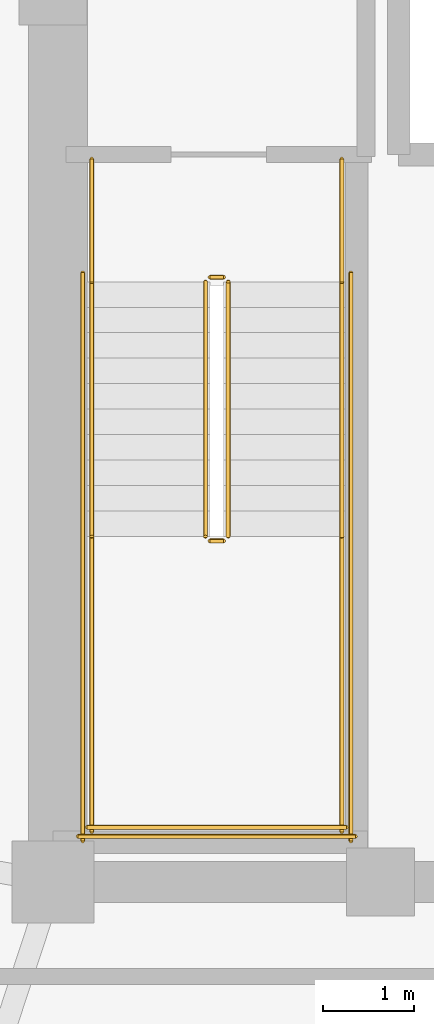
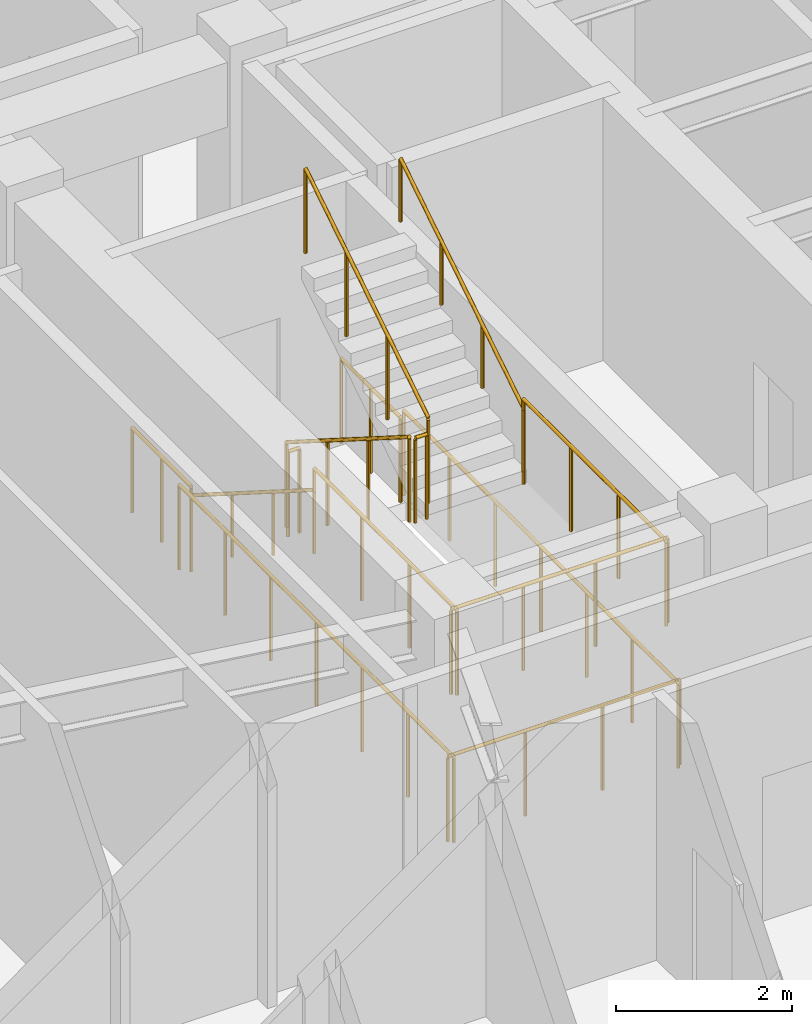
# One storey, part 28 of 29: 14 railings.
"""IFC4 building model written with IfcOpenShell, lengths in metres."""

from ifc_helpers import new_model, si_unit, direction, frame, origin, origin_2d, place, context, subcontext, project, spatial, circle, extrude, material, type_object, element, save


model = new_model("IFC4")

# Units and contexts
model_context = context("Model", 3, precision=1e-05, world=origin(), true_north=direction((0.0, 1.0)))
body_context = subcontext(model_context, "Body", "Model", "MODEL_VIEW")
ifc_project = project(units=[si_unit("LENGTHUNIT", "METRE"), si_unit("AREAUNIT", "SQUARE_METRE"), si_unit("VOLUMEUNIT", "CUBIC_METRE"), si_unit("PLANEANGLEUNIT", "RADIAN"), si_unit("MASSUNIT", "GRAM", prefix="KILO")], contexts=[model_context])

# Site, building, storey
site_placement = place(None, origin())
site = spatial("IfcSite", under=ifc_project, at=site_placement, CompositionType="ELEMENT")
building_placement = place(site_placement, origin())
building = spatial("IfcBuilding", under=site, at=building_placement, Name="Voryun Gate Residences", CompositionType="ELEMENT")
storey_placement = place(building_placement, frame((0.0, 0.0, 211.89990234375)))
storey = spatial("IfcBuildingStorey", under=building, at=storey_placement, Name="L52", CompositionType="ELEMENT", Elevation=211.89990234375)

# Railings
ifc_material_1 = material(Name="Painted steel", Category="steel")
railing_type_1 = type_object("IfcRailingType", Name="RAIL_STAIR_GUARD_1200", PredefinedType="GUARDRAIL", material=ifc_material_1)
railing_1_placement = place(storey_placement, frame((-17.52490234375, -0.800048828125, 0.177490234375)))
element("IfcRailing", 1, at=railing_1_placement, inside=storey, type_object=railing_type_1, Name="L52 ST-W1 stair guard 1", PredefinedType="GUARDRAIL", context=body_context, shape_type="SweptSolid", body=[
    extrude(circle(Radius=0.02392578125, at=origin_2d()), frame((0.0, 0.0, 1.17578125), z_axis=(0.0, -0.844908973607, 0.534910110503), x_axis=(1.0, 0.0, 0.0)), (0.0, 0.0, 1.0), 3.31396484375),
    extrude(circle(Radius=0.02099609375, at=origin_2d()), origin(), (0.0, 0.0, 1.0), 1.15185546875),
    extrude(circle(Radius=0.02099609375, at=origin_2d()), frame((0.0, -0.933349609375, 0.5908203125)), (0.0, 0.0, 1.0), 1.15185546875),
    extrude(circle(Radius=0.02099609375, at=origin_2d()), frame((0.0, -1.86669921875, 1.181884765625)), (0.0, 0.0, 1.0), 1.15185546875),
    extrude(circle(Radius=0.02099609375, at=origin_2d()), frame((0.0, -2.800048828125, 1.772705078125)), (0.0, 0.0, 1.0), 1.15185546875),
])
railing_2_placement = place(storey_placement, frame((-17.47509765625, -3.64990234375, 1.9501953125)))
element("IfcRailing", 2, at=railing_2_placement, inside=storey, type_object=railing_type_1, Name="L52 ST-W1 stair guard 2", PredefinedType="GUARDRAIL", context=body_context, shape_type="SweptSolid", body=[
    extrude(circle(Radius=0.02392578125, at=origin_2d()), frame((0.0, 0.0, 1.17578125), z_axis=(1.0, 0.0, 0.0), x_axis=(0.0, 1.0, 0.0)), (0.0, 0.0, 1.0), 0.150146484375),
    extrude(circle(Radius=0.02099609375, at=origin_2d()), origin(), (0.0, 0.0, 1.0), 1.15185546875),
    extrude(circle(Radius=0.02099609375, at=origin_2d()), frame((0.150146484375, 0.0, 0.0)), (0.0, 0.0, 1.0), 1.15185546875),
])
for number, where, name in (
    (3, (-18.77490234375, -3.60009765625, 1.9501953125), "L52 ST-W1 stair guard 3"),
    (4, (-16.02490234375, -3.60009765625, 1.9501953125), "L52 ST-W1 stair guard 4"),
):
    element("IfcRailing", number, at=place(storey_placement, frame(where)), inside=storey, type_object=railing_type_1, Name=name, PredefinedType="GUARDRAIL", context=body_context, shape_type="SweptSolid", body=[
        extrude(circle(Radius=0.02392578125, at=origin_2d()), frame((0.0, 0.0, 1.17578125), z_axis=(0.0, -1.0, 0.0), x_axis=(1.0, 0.0, 0.0)), (0.0, 0.0, 1.0), 3.25),
        extrude(circle(Radius=0.02099609375, at=origin_2d()), origin(), (0.0, 0.0, 1.0), 1.15185546875),
        extrude(circle(Radius=0.02099609375, at=origin_2d()), frame((0.0, -1.083251953125, 0.0)), (0.0, 0.0, 1.0), 1.15185546875),
        extrude(circle(Radius=0.02099609375, at=origin_2d()), frame((0.0, -2.166748046875, 0.0)), (0.0, 0.0, 1.0), 1.15185546875),
        extrude(circle(Radius=0.02099609375, at=origin_2d()), frame((0.0, -3.25, 0.0)), (0.0, 0.0, 1.0), 1.15185546875),
    ])
railing_3_placement = place(storey_placement, frame((-18.824951171875, -6.800048828125, 1.9501953125)))
element("IfcRailing", 5, at=railing_3_placement, inside=storey, type_object=railing_type_1, Name="L52 ST-W1 stair guard 5", PredefinedType="GUARDRAIL", context=body_context, shape_type="SweptSolid", body=[
    extrude(circle(Radius=0.02392578125, at=origin_2d()), frame((0.0, 0.0, 1.17578125), z_axis=(1.0, 0.0, 0.0), x_axis=(0.0, 1.0, 0.0)), (0.0, 0.0, 1.0), 2.849853515625),
    extrude(circle(Radius=0.02099609375, at=origin_2d()), origin(), (0.0, 0.0, 1.0), 1.15185546875),
    extrude(circle(Radius=0.02099609375, at=origin_2d()), frame((0.949951171875, 0.0, 0.0)), (0.0, 0.0, 1.0), 1.15185546875),
    extrude(circle(Radius=0.02099609375, at=origin_2d()), frame((1.89990234375, 0.0, 0.0)), (0.0, 0.0, 1.0), 1.15185546875),
    extrude(circle(Radius=0.02099609375, at=origin_2d()), frame((2.849853515625, 0.0, 0.0)), (0.0, 0.0, 1.0), 1.15185546875),
])
railing_4_placement = place(storey_placement, frame((-17.27490234375, -3.60009765625, 2.12744140625)))
element("IfcRailing", 6, at=railing_4_placement, inside=storey, type_object=railing_type_1, Name="L52 ST-W1 stair guard 6", PredefinedType="GUARDRAIL", context=body_context, shape_type="SweptSolid", body=[
    extrude(circle(Radius=0.02392578125, at=origin_2d()), frame((0.0, 0.0, 1.17578125), z_axis=(0.0, 0.844908973607, 0.534910110503), x_axis=(-1.0, 0.0, 0.0)), (0.0, 0.0, 1.0), 3.31396484375),
    extrude(circle(Radius=0.02099609375, at=origin_2d()), origin(), (0.0, 0.0, 1.0), 1.15185546875),
    extrude(circle(Radius=0.02099609375, at=origin_2d()), frame((0.0, 0.933349609375, 0.5908203125)), (0.0, 0.0, 1.0), 1.15185546875),
    extrude(circle(Radius=0.02099609375, at=origin_2d()), frame((0.0, 1.86669921875, 1.181884765625)), (0.0, 0.0, 1.0), 1.15185546875),
    extrude(circle(Radius=0.02099609375, at=origin_2d()), frame((0.0, 2.800048828125, 1.772705078125)), (0.0, 0.0, 1.0), 1.15185546875),
])
railing_5_placement = place(storey_placement, frame((-17.47509765625, -0.75, 0.0)))
element("IfcRailing", 7, at=railing_5_placement, inside=storey, type_object=railing_type_1, Name="L52 ST-W1 stair guard 7", PredefinedType="GUARDRAIL", context=body_context, shape_type="SweptSolid", body=[
    extrude(circle(Radius=0.02392578125, at=origin_2d()), frame((0.0, 0.0, 1.17578125), z_axis=(1.0, 0.0, 0.0), x_axis=(0.0, 1.0, 0.0)), (0.0, 0.0, 1.0), 0.150146484375),
    extrude(circle(Radius=0.02099609375, at=origin_2d()), origin(), (0.0, 0.0, 1.0), 1.15185546875),
    extrude(circle(Radius=0.02099609375, at=origin_2d()), frame((0.150146484375, 0.0, 0.0)), (0.0, 0.0, 1.0), 1.15185546875),
])
for number, where, name in (
    (8, (-18.77490234375, 0.550048828125, 0.0), "L52 ST-W1 stair guard 8"),
    (9, (-16.02490234375, 0.550048828125, 0.0), "L52 ST-W1 stair guard 9"),
):
    element("IfcRailing", number, at=place(storey_placement, frame(where)), inside=storey, type_object=railing_type_1, Name=name, PredefinedType="GUARDRAIL", context=body_context, shape_type="SweptSolid", body=[
        extrude(circle(Radius=0.02392578125, at=origin_2d()), frame((0.0, 0.0, 1.17578125), z_axis=(0.0, -1.0, 0.0), x_axis=(1.0, 0.0, 0.0)), (0.0, 0.0, 1.0), 1.35009765625),
        extrude(circle(Radius=0.02099609375, at=origin_2d()), origin(), (0.0, 0.0, 1.0), 1.15185546875),
        extrude(circle(Radius=0.02099609375, at=origin_2d()), frame((0.0, -0.675048828125, 0.0)), (0.0, 0.0, 1.0), 1.15185546875),
        extrude(circle(Radius=0.02099609375, at=origin_2d()), frame((0.0, -1.35009765625, 0.0)), (0.0, 0.0, 1.0), 1.15185546875),
    ])
for number, where, name in (
    (10, (-18.875, -0.699951171875, 0.0), "L52 ST-W1 stair guard 10"),
    (11, (-15.925048828125, -0.699951171875, 0.0), "L52 ST-W1 stair guard 11"),
):
    element("IfcRailing", number, at=place(storey_placement, frame(where)), inside=storey, type_object=railing_type_1, Name=name, PredefinedType="GUARDRAIL", context=body_context, shape_type="SweptSolid", body=[
        extrude(circle(Radius=0.02392578125, at=origin_2d()), frame((0.0, 0.0, 1.17578125), z_axis=(0.0, -1.0, 0.0), x_axis=(1.0, 0.0, 0.0)), (0.0, 0.0, 1.0), 6.25),
        extrude(circle(Radius=0.02099609375, at=origin_2d()), origin(), (0.0, 0.0, 1.0), 1.15185546875),
        extrude(circle(Radius=0.02099609375, at=origin_2d()), frame((0.0, -1.041748046875, 0.0)), (0.0, 0.0, 1.0), 1.15185546875),
        extrude(circle(Radius=0.02099609375, at=origin_2d()), frame((0.0, -2.083251953125, 0.0)), (0.0, 0.0, 1.0), 1.15185546875),
        extrude(circle(Radius=0.02099609375, at=origin_2d()), frame((0.0, -3.125, 0.0)), (0.0, 0.0, 1.0), 1.15185546875),
        extrude(circle(Radius=0.02099609375, at=origin_2d()), frame((0.0, -4.166748046875, 0.0)), (0.0, 0.0, 1.0), 1.15185546875),
        extrude(circle(Radius=0.02099609375, at=origin_2d()), frame((0.0, -5.208251953125, 0.0)), (0.0, 0.0, 1.0), 1.15185546875),
        extrude(circle(Radius=0.02099609375, at=origin_2d()), frame((0.0, -6.25, 0.0)), (0.0, 0.0, 1.0), 1.15185546875),
    ])
railing_6_placement = place(storey_placement, frame((-18.925048828125, -6.89990234375, 0.0)))
element("IfcRailing", 12, at=railing_6_placement, inside=storey, type_object=railing_type_1, Name="L52 ST-W1 stair guard 12", PredefinedType="GUARDRAIL", context=body_context, shape_type="SweptSolid", body=[
    extrude(circle(Radius=0.02392578125, at=origin_2d()), frame((0.0, 0.0, 1.17578125), z_axis=(1.0, 0.0, 0.0), x_axis=(0.0, 1.0, 0.0)), (0.0, 0.0, 1.0), 3.050048828125),
    extrude(circle(Radius=0.02099609375, at=origin_2d()), origin(), (0.0, 0.0, 1.0), 1.15185546875),
    extrude(circle(Radius=0.02099609375, at=origin_2d()), frame((1.0166015625, 0.0, 0.0)), (0.0, 0.0, 1.0), 1.15185546875),
    extrude(circle(Radius=0.02099609375, at=origin_2d()), frame((2.033447265625, 0.0, 0.0)), (0.0, 0.0, 1.0), 1.15185546875),
    extrude(circle(Radius=0.02099609375, at=origin_2d()), frame((3.050048828125, 0.0, 0.0)), (0.0, 0.0, 1.0), 1.15185546875),
])
ifc_material_2 = material(Name="Painted steel", Category="steel")
railing_type_2 = type_object("IfcRailingType", Name="RAIL_STAIR_HANDRAIL_900", PredefinedType="HANDRAIL", material=ifc_material_2)
railing_7_placement = place(storey_placement, frame((-18.77490234375, -0.800048828125, 0.177490234375)))
element("IfcRailing", 13, at=railing_7_placement, inside=storey, type_object=railing_type_2, Name="L52 ST-W1 stair handrail 1", PredefinedType="HANDRAIL", context=body_context, shape_type="SweptSolid", body=[
    extrude(circle(Radius=0.02392578125, at=origin_2d()), frame((0.0, 0.0, 0.8759765625), z_axis=(0.0, -0.844908973607, 0.534910110503), x_axis=(1.0, 0.0, 0.0)), (0.0, 0.0, 1.0), 3.31396484375),
    extrude(circle(Radius=0.02099609375, at=origin_2d()), origin(), (0.0, 0.0, 1.0), 0.851806640625),
    extrude(circle(Radius=0.02099609375, at=origin_2d()), frame((0.0, -0.933349609375, 0.5908203125)), (0.0, 0.0, 1.0), 0.851806640625),
    extrude(circle(Radius=0.02099609375, at=origin_2d()), frame((0.0, -1.86669921875, 1.181884765625)), (0.0, 0.0, 1.0), 0.851806640625),
    extrude(circle(Radius=0.02099609375, at=origin_2d()), frame((0.0, -2.800048828125, 1.772705078125)), (0.0, 0.0, 1.0), 0.851806640625),
])
railing_8_placement = place(storey_placement, frame((-16.02490234375, -3.60009765625, 2.12744140625)))
element("IfcRailing", 14, at=railing_8_placement, inside=storey, type_object=railing_type_2, Name="L52 ST-W1 stair handrail 2", PredefinedType="HANDRAIL", context=body_context, shape_type="SweptSolid", body=[
    extrude(circle(Radius=0.02392578125, at=origin_2d()), frame((0.0, 0.0, 0.8759765625), z_axis=(0.0, 0.844908973607, 0.534910110503), x_axis=(-1.0, 0.0, 0.0)), (0.0, 0.0, 1.0), 3.31396484375),
    extrude(circle(Radius=0.02099609375, at=origin_2d()), origin(), (0.0, 0.0, 1.0), 0.851806640625),
    extrude(circle(Radius=0.02099609375, at=origin_2d()), frame((0.0, 0.933349609375, 0.5908203125)), (0.0, 0.0, 1.0), 0.851806640625),
    extrude(circle(Radius=0.02099609375, at=origin_2d()), frame((0.0, 1.86669921875, 1.181884765625)), (0.0, 0.0, 1.0), 0.851806640625),
    extrude(circle(Radius=0.02099609375, at=origin_2d()), frame((0.0, 2.800048828125, 1.772705078125)), (0.0, 0.0, 1.0), 0.851806640625),
])

save(model, "model.ifc")
